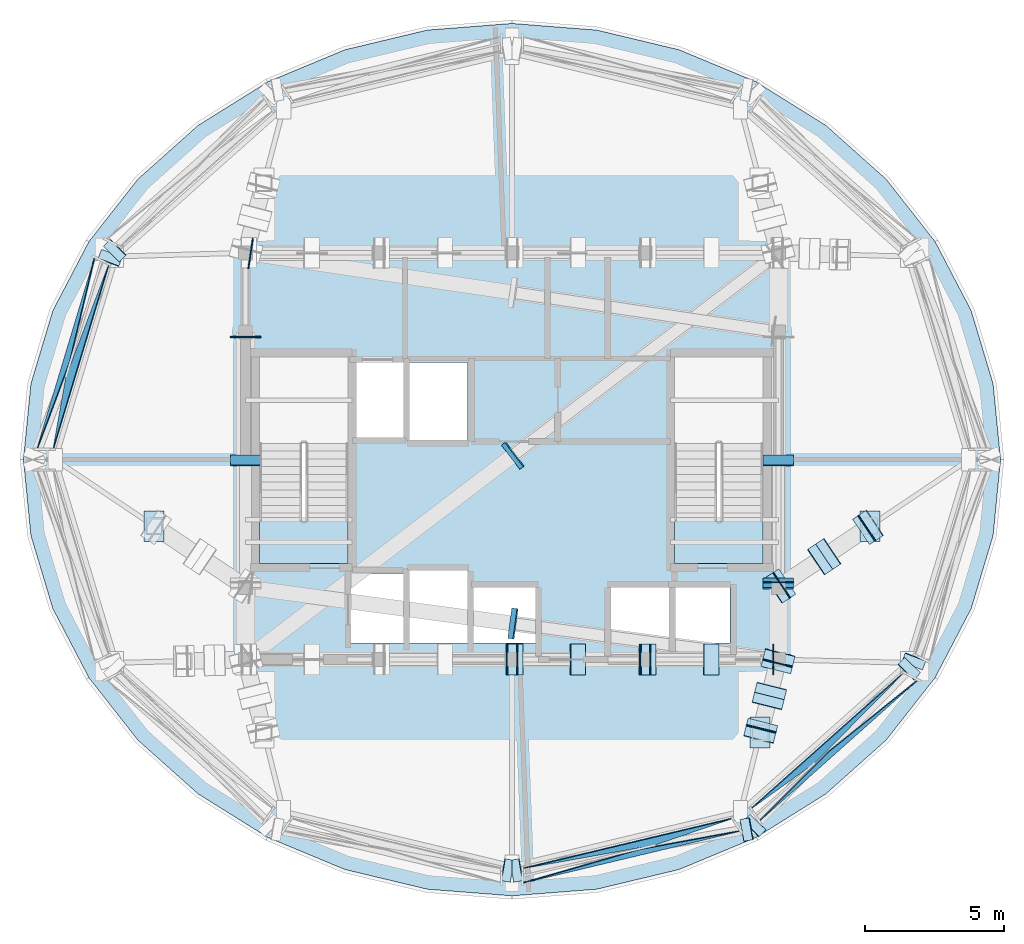
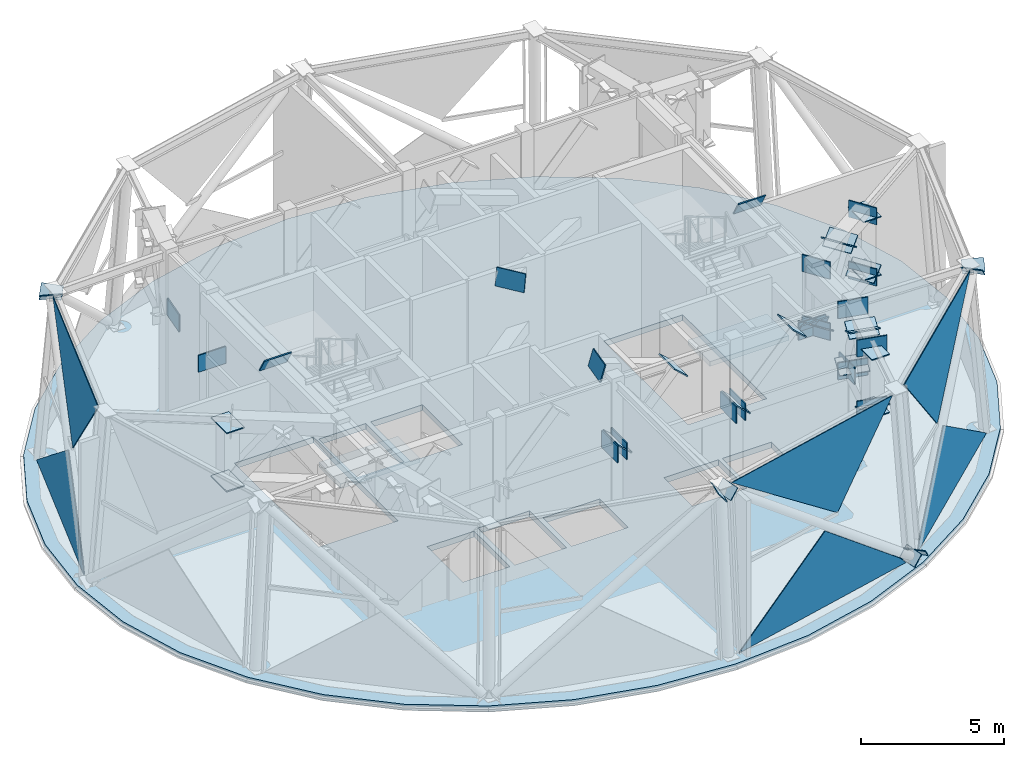
# One storey, part 5 of 12: 53 plates, 3 slabs, 5 elements without a shape of their own.
"""IFC4 building model written with IfcOpenShell, lengths in metres."""

from ifc_helpers import new_model, si_unit, direction, frame, origin, origin_2d, place, context, subcontext, project, spatial, polyline, rectangle, outline, extrude, material, layer, layer_set, type_object, element, aggregate, save


model = new_model("IFC4")

# Units and contexts
model_context = context("Model", 3, precision=1e-05, world=origin(), true_north=direction((0.0, 1.0)))
body_context = subcontext(model_context, "Body", "Model", "MODEL_VIEW")
ifc_project = project(units=[si_unit("LENGTHUNIT", "METRE"), si_unit("AREAUNIT", "SQUARE_METRE"), si_unit("VOLUMEUNIT", "CUBIC_METRE"), si_unit("PLANEANGLEUNIT", "RADIAN"), si_unit("MASSUNIT", "GRAM", prefix="KILO")], contexts=[model_context])

# Site, building, storey
site_placement = place(None, origin())
site = spatial("IfcSite", under=ifc_project, at=site_placement, CompositionType="ELEMENT")
building_placement = place(site_placement, origin())
building = spatial("IfcBuilding", under=site, at=building_placement, Name="Vantalir Tower", CompositionType="ELEMENT")
storey_placement = place(building_placement, frame((0.0, 0.0, 304.5)))
storey = spatial("IfcBuildingStorey", under=building, at=storey_placement, Name="L76", CompositionType="ELEMENT", Elevation=304.5)

# Curtain wall, plates
ifc_material_1 = material(Name="Champagne-silver PVDF aluminium and double-silver Low-E glass", Category="aluminium")
ifc_layer_1 = layer(ifc_material_1, 0.25)
ifc_layer_set_1 = layer_set([ifc_layer_1], Name="Champagne-silver PVDF aluminium and double-silver Low-E glass")
curtain_wall_type = type_object("IfcCurtainWallType", Name="CW-CROWN-PT", PredefinedType="USERDEFINED", material=ifc_layer_set_1)
curtain_wall_1_placement = place(storey_placement, origin())
curtain_wall_1 = element("IfcCurtainWall", 1, at=curtain_wall_1_placement, inside=storey, type_object=curtain_wall_type, Name="L76 Quilted Pyramid-Diamond Curtain Wall S06", ObjectType="UNITISED CURTAIN WALL", PredefinedType="USERDEFINED")
ifc_material_2 = material(Name="Faceted crown Low-E glass IGU", Category="glass")
ifc_layer_2 = layer(ifc_material_2, 0.033935546875)
ifc_layer_set_2 = layer_set([ifc_layer_2], Name="Faceted crown Low-E glass IGU")
plate_type_1 = type_object("IfcPlateType", Name="CWP-IGU-CRN-34", PredefinedType="CURTAIN_PANEL", material=ifc_layer_set_2)
plate_1_placement = place(storey_placement, frame((16.453857421875, 32.289794921875, 0.04931640625), z_axis=(-0.954997413284, 0.287364744972, 0.073494516587), x_axis=(-0.288136892091, -0.957589223669, 0.0001006392)))
plate_1 = element("IfcPlate", 2, at=plate_1_placement, type_object=plate_type_1, Name="CW-L76-S06 Pyramid Diamond Facet 1L", PredefinedType="CURTAIN_PANEL", context=body_context, shape_type="SweptSolid", body=[
    extrude(outline(polyline([(0.0, 0.0), (7.208580734828691, 2.7647155398380363e-17), (6.905439960056875, 0.3809505128534993), (3.8742443701408504, 3.0368687363441875), (0.0, 0.0)])), origin(), (0.0, 0.0, -1.0), 0.033935546875),
])
plate_2_placement = place(storey_placement, frame((14.962890625, 25.386962890625, 7.019775390625), z_axis=(-0.953955181381, 0.287043198554, 0.087038578116), x_axis=(0.288145528503, 0.957586624411, 0.000105612289)))
plate_2 = element("IfcPlate", 3, at=plate_2_placement, type_object=plate_type_1, Name="CW-L76-S06 Pyramid Diamond Facet 2U", PredefinedType="CURTAIN_PANEL", context=body_context, shape_type="SweptSolid", body=[
    extrude(outline(polyline([(0.0, 0.0), (6.935006161675333, 3.686287386450715e-18), (2.600198242440322, 3.4837103599661536), (0.0, 0.0)])), origin(), (0.0, 0.0, -1.0), 0.033935546875),
])
aggregate(curtain_wall_1, [plate_1, plate_2])

curtain_wall_2_placement = place(storey_placement, origin())
curtain_wall_2 = element("IfcCurtainWall", 4, at=curtain_wall_2_placement, inside=storey, type_object=curtain_wall_type, Name="L76 Quilted Pyramid-Diamond Curtain Wall S10", ObjectType="UNITISED CURTAIN WALL", PredefinedType="USERDEFINED")
plate_3_placement = place(storey_placement, frame((31.893310546875, 9.740234375, 0.048828125), z_axis=(0.231602660669, -0.970565018604, 0.066058702936), x_axis=(0.972688241841, 0.232115437018, 8.989938e-05)))
plate_3 = element("IfcPlate", 5, at=plate_3_placement, type_object=plate_type_1, Name="CW-L76-S10 Pyramid Diamond Facet 1L", PredefinedType="CURTAIN_PANEL", context=body_context, shape_type="SweptSolid", body=[
    extrude(outline(polyline([(0.0, 0.0), (8.053168529048223, 8.673617379884035e-19), (7.775782697831556, 0.3124835089575333), (4.336417896180238, 3.0394437894148454), (0.0, 0.0)])), origin(), (0.0, 0.0, -1.0), 0.033935546875),
])
plate_4_placement = place(storey_placement, frame((39.433837890625, 12.062744140625, 7.020263671875), z_axis=(0.231351826003, -0.969610861897, 0.079568266897), x_axis=(-0.972696615583, -0.232080341921, 9.448243e-05)))
plate_4 = element("IfcPlate", 6, at=plate_4_placement, type_object=plate_type_1, Name="CW-L76-S10 Pyramid Diamond Facet 2U", PredefinedType="CURTAIN_PANEL", context=body_context, shape_type="SweptSolid", body=[
    extrude(outline(polyline([(0.0, 0.0), (7.751937327965951, 1.8214596497756474e-17), (2.910542770480971, 3.482263072949367), (0.0, 0.0)])), origin(), (0.0, 0.0, -1.0), 0.033935546875),
])
aggregate(curtain_wall_2, [plate_3, plate_4])

curtain_wall_3_placement = place(storey_placement, origin())
curtain_wall_3 = element("IfcCurtainWall", 7, at=curtain_wall_3_placement, inside=storey, type_object=curtain_wall_type, Name="L76 Quilted Pyramid-Diamond Curtain Wall S11", ObjectType="UNITISED CURTAIN WALL", PredefinedType="USERDEFINED")
plate_5_placement = place(storey_placement, frame((40.421630859375, 11.97216796875, 0.0498046875), z_axis=(0.663493878965, -0.744952634524, 0.069436625004), x_axis=(0.746759466525, 0.6650941963, -9.5934364e-05)))
plate_5 = element("IfcPlate", 8, at=plate_5_placement, type_object=plate_type_1, Name="CW-L76-S11 Pyramid Diamond Facet 1L", PredefinedType="CURTAIN_PANEL", context=body_context, shape_type="SweptSolid", body=[
    extrude(outline(polyline([(0.0, 0.0), (7.641079914454455, -2.0274580625478933e-17), (3.491071217020238, 3.040388159549212), (0.28993999051542213, 0.3487693892709729), (0.0, 0.0)])), origin(), (0.0, 0.0, -1.0), 0.033935546875),
])
plate_6_placement = place(storey_placement, frame((45.6201171875, 17.315673828125, 7.020751953125), z_axis=(0.662766432912, -0.74420598863, 0.083054812582), x_axis=(-0.74678246686, -0.665068374515, -6.6407227e-05)))
plate_6 = element("IfcPlate", 9, at=plate_6_placement, type_object=plate_type_1, Name="CW-L76-S11 Pyramid Diamond Facet 2U", PredefinedType="CURTAIN_PANEL", context=body_context, shape_type="SweptSolid", body=[
    extrude(outline(polyline([(0.0, 0.0), (7.352833041139266, 3.458604930228759e-17), (4.544143298863902, 3.482923217728871), (0.0, 0.0)])), origin(), (0.0, 0.0, -1.0), 0.033935546875),
])
aggregate(curtain_wall_3, [plate_5, plate_6])

# Plates
ifc_material_3 = material(Name="Steel S460", Category="steel")
ifc_layer_3 = layer(ifc_material_3, 0.044921875)
ifc_layer_set_3 = layer_set([ifc_layer_3], Name="Steel S460")
plate_type_2 = type_object("IfcPlateType", Name="PLT-BN-01", PredefinedType="USERDEFINED", material=ifc_layer_set_3)
for number, where, z_axis, x_axis, name in (
    (10, (31.31494140625, 17.800048828125, 3.83984375), (0.0, 0.0, 1.0), (1.0, 0.0, 0.0), "Node Cap Plate MEM-L76-BTCB-02 End"),
    (11, (31.68505859375, 17.800048828125, 3.83984375), (0.0, 0.0, 1.0), (1.0, 0.0, 0.0), "Node Cap Plate MEM-L76-BTCB-03 Start"),
    (12, (36.114990234375, 17.800048828125, 3.83984375), (0.0, 0.0, 1.0), (1.0, 0.0, 0.0), "Node Cap Plate MEM-L76-BTCB-03 End"),
):
    element("IfcPlate", number, at=place(storey_placement, frame(where, z_axis=z_axis, x_axis=x_axis)), inside=storey, type_object=plate_type_2, Name=name, ObjectType="FLANGE_PLATE", PredefinedType="USERDEFINED", context=body_context, shape_type="SweptSolid", body=[
        extrude(rectangle(XDim=0.044921875, YDim=1.10009765625, at=origin_2d()), origin(), (0.0, 0.0, 1.0), 0.719970703125),
    ])
plate_7_placement = place(storey_placement, frame((31.892333984375, 17.25, 4.095458984375), z_axis=(0.675571040077, 0.0, 0.737294900165), x_axis=(0.0, 1.0, 0.0)))
element("IfcPlate", 13, at=plate_7_placement, inside=storey, type_object=plate_type_2, Name="Node Cap Plate MEM-L76-BTDG-03A Start", ObjectType="FLANGE_PLATE", PredefinedType="USERDEFINED", context=body_context, shape_type="SweptSolid", body=[
    extrude(outline(polyline([(0.0, 0.0), (1.10009765625, 0.0), (1.10009765625, 0.719877105662119), (0.0, 0.719877105662119), (0.0, 0.0)])), origin(), (0.0, 0.0, -1.0), 0.044921875),
])
plate_8_placement = place(storey_placement, frame((34.15673828125, 17.25, 6.567138671875), z_axis=(0.675402139581, 0.0, 0.737449625296), x_axis=(0.0, 1.0, 0.0)))
element("IfcPlate", 14, at=plate_8_placement, inside=storey, type_object=plate_type_2, Name="Node Cap Plate MEM-L76-BTDG-03A End", ObjectType="FLANGE_PLATE", PredefinedType="USERDEFINED", context=body_context, shape_type="SweptSolid", body=[
    extrude(outline(polyline([(0.0, 0.0), (1.10009765625, 0.0), (1.10009765625, 0.720057128189561), (0.0, 0.720057128189561), (0.0, 0.0)])), origin(), (0.0, 0.0, -1.0), 0.044921875),
])
for number, where, z_axis, x_axis, name in (
    (15, (36.485107421875, 17.800048828125, 3.83984375), (0.0, 0.0, 1.0), (1.0, 0.0, 0.0), "Node Cap Plate MEM-L76-BTCB-04 Start"),
    (16, (40.9150390625, 17.800048828125, 3.83984375), (0.0, 0.0, 1.0), (1.0, 0.0, 0.0), "Node Cap Plate MEM-L76-BTCB-04 End"),
):
    element("IfcPlate", number, at=place(storey_placement, frame(where, z_axis=z_axis, x_axis=x_axis)), inside=storey, type_object=plate_type_2, Name=name, ObjectType="FLANGE_PLATE", PredefinedType="USERDEFINED", context=body_context, shape_type="SweptSolid", body=[
        extrude(rectangle(XDim=0.044921875, YDim=1.10009765625, at=origin_2d()), origin(), (0.0, 0.0, 1.0), 0.719970703125),
    ])
plate_9_placement = place(storey_placement, frame((36.6923828125, 17.25, 4.095458984375), z_axis=(0.675571040077, 0.0, 0.737294900165), x_axis=(0.0, 1.0, 0.0)))
element("IfcPlate", 17, at=plate_9_placement, inside=storey, type_object=plate_type_2, Name="Node Cap Plate MEM-L76-BTDG-04A Start", ObjectType="FLANGE_PLATE", PredefinedType="USERDEFINED", context=body_context, shape_type="SweptSolid", body=[
    extrude(outline(polyline([(0.0, 0.0), (1.10009765625, 0.0), (1.10009765625, 0.719877105662119), (0.0, 0.719877105662119), (0.0, 0.0)])), origin(), (0.0, 0.0, -1.0), 0.044921875),
])
plate_10_placement = place(storey_placement, frame((38.956787109375, 17.25, 6.567138671875), z_axis=(0.675402139581, 0.0, 0.737449625296), x_axis=(0.0, 1.0, 0.0)))
element("IfcPlate", 18, at=plate_10_placement, inside=storey, type_object=plate_type_2, Name="Node Cap Plate MEM-L76-BTDG-04A End", ObjectType="FLANGE_PLATE", PredefinedType="USERDEFINED", context=body_context, shape_type="SweptSolid", body=[
    extrude(outline(polyline([(0.0, 0.0), (1.10009765625, 0.0), (1.10009765625, 0.720057128189561), (0.0, 0.720057128189561), (0.0, 0.0)])), origin(), (0.0, 0.0, -1.0), 0.044921875),
])
plate_11_placement = place(storey_placement, frame((31.4931640625, 19.656005859375, 6.468994140625), z_axis=(-0.956574986551, 0.129628819994, 0.26107597387), x_axis=(-0.134285089467, -0.990942740391, 3.755488e-06)))
element("IfcPlate", 19, at=plate_11_placement, inside=storey, type_object=plate_type_2, Name="Node Cap Plate MEM-L76-BTDG-05A End", ObjectType="FLANGE_PLATE", PredefinedType="USERDEFINED", context=body_context, shape_type="SweptSolid", body=[
    extrude(outline(polyline([(0.0, 0.0), (1.1000492712332393, 0.0), (1.099956075645277, 0.7200363444917968), (0.00014873379201588746, 0.7200449028458258), (0.0, 0.0)])), origin(), (0.0, 0.0, -1.0), 0.044921875),
])
plate_12_placement = place(storey_placement, frame((21.89990234375, 29.4150390625, 3.83984375), z_axis=(0.0, 0.0, 1.0), x_axis=(0.0, 1.0, 0.0)))
element("IfcPlate", 20, at=plate_12_placement, inside=storey, type_object=plate_type_2, Name="Node Cap Plate MEM-L76-BTCB-06 End", ObjectType="FLANGE_PLATE", PredefinedType="USERDEFINED", context=body_context, shape_type="SweptSolid", body=[
    extrude(rectangle(XDim=0.044921875, YDim=1.10009765625, at=origin_2d()), origin(), (0.0, 0.0, 1.0), 0.719970703125),
])
plate_13_placement = place(storey_placement, frame((22.449951171875, 25.1669921875, 6.500732421875), z_axis=(0.0, 0.868909966, 0.494970171814), x_axis=(-1.0, 0.0, 0.0)))
element("IfcPlate", 21, at=plate_13_placement, inside=storey, type_object=plate_type_2, Name="Node Cap Plate MEM-L76-BTDG-06A End", ObjectType="FLANGE_PLATE", PredefinedType="USERDEFINED", context=body_context, shape_type="SweptSolid", body=[
    extrude(outline(polyline([(0.0, 0.0), (1.099853515625, 0.0), (1.099853515625, 0.7201349349870312), (0.0, 0.7201349349870312), (0.0, 0.0)])), origin(), (0.0, 0.0, -1.0), 0.044921875),
])
plate_14_placement = place(storey_placement, frame((41.10009765625, 20.5849609375, 3.83984375), z_axis=(0.0, 0.0, 1.0), x_axis=(0.0, 1.0, 0.0)))
element("IfcPlate", 22, at=plate_14_placement, inside=storey, type_object=plate_type_2, Name="Node Cap Plate MEM-L76-BTCB-08 Start", ObjectType="FLANGE_PLATE", PredefinedType="USERDEFINED", context=body_context, shape_type="SweptSolid", body=[
    extrude(rectangle(XDim=0.044921875, YDim=1.10009765625, at=origin_2d()), origin(), (0.0, 0.0, 1.0), 0.719970703125),
])
plate_15_placement = place(storey_placement, frame((41.64990234375, 20.741455078125, 3.980224609375), z_axis=(0.0, 0.869055760291, 0.494714145245), x_axis=(-1.0, 0.0, 0.0)))
element("IfcPlate", 23, at=plate_15_placement, inside=storey, type_object=plate_type_2, Name="Node Cap Plate MEM-L76-BTDG-08A Start", ObjectType="FLANGE_PLATE", PredefinedType="USERDEFINED", context=body_context, shape_type="SweptSolid", body=[
    extrude(outline(polyline([(0.0, 0.0), (1.099853515625, 0.0), (1.099853515625, 0.7200141239105495), (0.0, 0.7200141239105495), (0.0, 0.0)])), origin(), (0.0, 0.0, -1.0), 0.044921875),
])
plate_16_placement = place(storey_placement, frame((41.64990234375, 25.1669921875, 6.500732421875), z_axis=(0.0, 0.868909966, 0.494970171814), x_axis=(-1.0, 0.0, 0.0)))
element("IfcPlate", 24, at=plate_16_placement, inside=storey, type_object=plate_type_2, Name="Node Cap Plate MEM-L76-BTDG-08A End", ObjectType="FLANGE_PLATE", PredefinedType="USERDEFINED", context=body_context, shape_type="SweptSolid", body=[
    extrude(outline(polyline([(0.0, 0.0), (1.099853515625, 0.0), (1.099853515625, 0.7201349349870312), (0.0, 0.7201349349870312), (0.0, 0.0)])), origin(), (0.0, 0.0, -1.0), 0.044921875),
])
plate_17_placement = place(storey_placement, frame((22.0830078125, 32.423095703125, 3.83984375), z_axis=(0.0, 0.0, 1.0), x_axis=(-0.989162420293, 0.146825427908, 0.0)))
element("IfcPlate", 25, at=plate_17_placement, inside=storey, type_object=plate_type_2, Name="Node Cap Plate MEM-L76-BTCB-09 End", ObjectType="FLANGE_PLATE", PredefinedType="USERDEFINED", context=body_context, shape_type="SweptSolid", body=[
    extrude(rectangle(XDim=0.044921875, YDim=1.10009765625, at=origin_2d()), origin(), (0.0, 0.0, 1.0), 0.719970703125),
])
plate_18_placement = place(storey_placement, frame((31.11572265625, 25.523681640625, 6.46533203125), z_axis=(-0.776957569647, -0.592804309839, 0.211943353763), x_axis=(0.606584730525, -0.795018845496, 0.0)))
element("IfcPlate", 26, at=plate_18_placement, inside=storey, type_object=plate_type_2, Name="Node Cap Plate MEM-L76-BTDG-14A End", ObjectType="FLANGE_PLATE", PredefinedType="USERDEFINED", context=body_context, shape_type="SweptSolid", body=[
    extrude(outline(polyline([(0.0, 0.0), (1.0999886653056075, 0.0), (1.1000278422167267, 0.719969584425667), (3.9176911119007165e-05, 0.719969584425667), (0.0, 0.0)])), origin(), (0.0, 0.0, -1.0), 0.044921875),
])
for number, where, z_axis, x_axis, name in (
    (27, (41.2119140625, 20.47509765625, 3.83984375), (0.0, 0.0, 1.0), (0.83065421052, 0.556788633636, 0.0), "Node Cap Plate MEM-L76-ORCB-01 Start"),
    (28, (44.281982421875, 22.532958984375, 3.83984375), (0.0, 0.0, 1.0), (0.83065421052, 0.556788633636, 0.0), "Node Cap Plate MEM-L76-ORCB-01 End"),
    (29, (41.2119140625, 20.47509765625, 6.4599609375), (0.0, 0.0, 1.0), (0.83065421052, 0.556788633636, 0.0), "Node Cap Plate MEM-L76-ORCT-01 Start"),
    (30, (44.281982421875, 22.532958984375, 6.4599609375), (0.0, 0.0, 1.0), (0.83065421052, 0.556788633636, 0.0), "Node Cap Plate MEM-L76-ORCT-01 End"),
):
    element("IfcPlate", number, at=place(storey_placement, frame(where, z_axis=z_axis, x_axis=x_axis)), inside=storey, type_object=plate_type_2, Name=name, ObjectType="FLANGE_PLATE", PredefinedType="USERDEFINED", context=body_context, shape_type="SweptSolid", body=[
        extrude(rectangle(XDim=0.044921875, YDim=1.10009765625, at=origin_2d()), origin(), (0.0, 0.0, 1.0), 0.719970703125),
    ])
plate_19_placement = place(storey_placement, frame((41.723876953125, 20.156005859375, 4.108642578125), z_axis=(0.501330642976, 0.336095813822, 0.797312479737), x_axis=(-0.55681683448, 0.83063530623, -2.9734373e-05)))
element("IfcPlate", 31, at=plate_19_placement, inside=storey, type_object=plate_type_2, Name="Node Cap Plate MEM-L76-ORDG-01A Start", ObjectType="FLANGE_PLATE", PredefinedType="USERDEFINED", context=body_context, shape_type="SweptSolid", body=[
    extrude(outline(polyline([(0.0, 0.0), (1.100127292218899, -5.551115123125783e-17), (1.0999510469538423, 0.7200579332275001), (2.6546557753317625e-05, 0.7199495489246909), (0.0, 0.0)])), origin(), (0.0, 0.0, -1.0), 0.044921875),
])
plate_20_placement = place(storey_placement, frame((43.25, 21.17919921875, 6.53662109375), z_axis=(0.501126219732, 0.335891816218, 0.797526927254), x_axis=(-0.556756831247, 0.830675526692, -1.4626711e-05)))
element("IfcPlate", 32, at=plate_20_placement, inside=storey, type_object=plate_type_2, Name="Node Cap Plate MEM-L76-ORDG-01A End", ObjectType="FLANGE_PLATE", PredefinedType="USERDEFINED", context=body_context, shape_type="SweptSolid", body=[
    extrude(outline(polyline([(0.0, 0.0), (1.0997885629030284, 5.551115123125783e-17), (1.0999161417353343, 0.7199639443180557), (-0.0002111497707064146, 0.7199106069698338), (0.0, 0.0)])), origin(), (0.0, 0.0, -1.0), 0.044921875),
])
plate_21_placement = place(storey_placement, frame((42.243896484375, 21.828857421875, 6.53662109375), z_axis=(-0.501151543343, -0.335975744088, 0.797475661064), x_axis=(0.556882105427, -0.830591548098, 2.9735315e-05)))
element("IfcPlate", 33, at=plate_21_placement, inside=storey, type_object=plate_type_2, Name="Node Cap Plate MEM-L76-ORDG-01B Start", ObjectType="FLANGE_PLATE", PredefinedType="USERDEFINED", context=body_context, shape_type="SweptSolid", body=[
    extrude(outline(polyline([(0.0, 0.0), (1.0999245057366187, 0.0), (1.1000219946437486, 0.7198022028779472), (-0.00010529223254249223, 0.7199106293493971), (0.0, 0.0)])), origin(), (0.0, 0.0, -1.0), 0.044921875),
])
plate_22_placement = place(storey_placement, frame((43.77001953125, 22.85205078125, 4.108642578125), z_axis=(-0.501363821888, -0.336006184132, 0.797329393869), x_axis=(0.556770247127, -0.830666533542, 4.4356563e-05)))
element("IfcPlate", 34, at=plate_22_placement, inside=storey, type_object=plate_type_2, Name="Node Cap Plate MEM-L76-ORDG-01B End", ObjectType="FLANGE_PLATE", PredefinedType="USERDEFINED", context=body_context, shape_type="SweptSolid", body=[
    extrude(outline(polyline([(0.0, 0.0), (1.1001272912815532, 0.0), (1.100153842774105, 0.7199495474921869), (0.00016248172866667503, 0.7201112418133824), (0.0, 0.0)])), origin(), (0.0, 0.0, -1.0), 0.044921875),
])
for number, where, z_axis, x_axis, name in (
    (35, (44.033935546875, 23.157958984375, 4.2880859375), (0.0, 0.0, 1.0), (0.0, -1.0, 0.0), "Node Cap Plate MEM-L76-ORVP-01 Start"),
    (36, (44.033935546875, 23.157958984375, 6.777099609375), (0.0, 0.0, 1.0), (0.0, -1.0, 0.0), "Node Cap Plate MEM-L76-ORVP-01 End"),
    (37, (18.24609375, 23.157958984375, 4.2880859375), (0.0, 0.0, 1.0), (0.0, -1.0, 0.0), "Node Cap Plate MEM-L76-ORVP-05 Start"),
    (38, (18.24609375, 23.157958984375, 6.777099609375), (0.0, 0.0, 1.0), (0.0, -1.0, 0.0), "Node Cap Plate MEM-L76-ORVP-05 End"),
):
    element("IfcPlate", number, at=place(storey_placement, frame(where, z_axis=z_axis, x_axis=x_axis)), inside=storey, type_object=plate_type_2, Name=name, ObjectType="FLANGE_PLATE", PredefinedType="USERDEFINED", context=body_context, shape_type="SweptSolid", body=[
        extrude(outline(polyline([(0.0, 0.0), (1.099853515625, 0.0), (1.099853515625, 0.719970703125), (0.0, 0.719970703125), (0.0, 0.0)])), origin(), (0.0, 0.0, -1.0), 0.044921875),
    ])
for number, where, z_axis, x_axis, name in (
    (39, (41.06689453125, 17.6689453125, 3.83984375), (0.0, 0.0, 1.0), (-0.24236217691, -0.970185845704, 0.0), "Node Cap Plate MEM-L76-ORCB-08 Start"),
    (40, (40.47607421875, 15.301025390625, 3.83984375), (0.0, 0.0, 1.0), (-0.24236217691, -0.970185845704, 0.0), "Node Cap Plate MEM-L76-ORCB-08 End"),
    (41, (41.06689453125, 17.6689453125, 6.4599609375), (0.0, 0.0, 1.0), (-0.24236217691, -0.970185845704, 0.0), "Node Cap Plate MEM-L76-ORCT-08 Start"),
    (42, (40.47607421875, 15.301025390625, 6.4599609375), (0.0, 0.0, 1.0), (-0.24236217691, -0.970185845704, 0.0), "Node Cap Plate MEM-L76-ORCT-08 End"),
):
    element("IfcPlate", number, at=place(storey_placement, frame(where, z_axis=z_axis, x_axis=x_axis)), inside=storey, type_object=plate_type_2, Name=name, ObjectType="FLANGE_PLATE", PredefinedType="USERDEFINED", context=body_context, shape_type="SweptSolid", body=[
        extrude(rectangle(XDim=0.044921875, YDim=1.10009765625, at=origin_2d()), origin(), (0.0, 0.0, 1.0), 0.719970703125),
    ])
plate_23_placement = place(storey_placement, frame((40.47119140625, 17.552734375, 4.1748046875), z_axis=(-0.1114128651, -0.446059566134, 0.888041686494), x_axis=(0.970194692006, -0.242326762047, 0.0)))
element("IfcPlate", 43, at=plate_23_placement, inside=storey, type_object=plate_type_2, Name="Node Cap Plate MEM-L76-ORDG-08A Start", ObjectType="FLANGE_PLATE", PredefinedType="USERDEFINED", context=body_context, shape_type="SweptSolid", body=[
    extrude(outline(polyline([(0.0, 0.0), (1.1001738324227912, 0.0), (1.1002522814124793, 0.7200551786384496), (7.844898968800695e-05, 0.7200551786384495), (0.0, 0.0)])), origin(), (0.0, 0.0, -1.0), 0.044921875),
])
for number, where, z_axis, x_axis, name in (
    (44, (40.169677734375, 16.344970703125, 6.580810546875), (-0.111339496392, -0.445663863306, 0.888249535596), (0.970181656683, -0.242378945115, 0.0), "Node Cap Plate MEM-L76-ORDG-08A End"),
    (45, (41.373291015625, 16.625, 6.580810546875), (0.111339496392, 0.445663863306, 0.888249535596), (-0.970181656683, 0.242378945115, 0.0), "Node Cap Plate MEM-L76-ORDG-08B Start"),
):
    element("IfcPlate", number, at=place(storey_placement, frame(where, z_axis=z_axis, x_axis=x_axis)), inside=storey, type_object=plate_type_2, Name=name, ObjectType="FLANGE_PLATE", PredefinedType="USERDEFINED", context=body_context, shape_type="SweptSolid", body=[
        extrude(outline(polyline([(0.0, 0.0), (1.0999369700753678, 0.0), (1.0999218513037066, 0.7201533506324355), (-1.5118771661243313e-05, 0.7201533506324355), (0.0, 0.0)])), origin(), (0.0, 0.0, -1.0), 0.044921875),
    ])
plate_24_placement = place(storey_placement, frame((41.07177734375, 15.417236328125, 4.1748046875), z_axis=(0.111428925083, 0.446072844321, 0.888033001759), x_axis=(-0.970193314412, 0.242332277154, 1.0979329e-05)))
element("IfcPlate", 46, at=plate_24_placement, inside=storey, type_object=plate_type_2, Name="Node Cap Plate MEM-L76-ORDG-08B End", ObjectType="FLANGE_PLATE", PredefinedType="USERDEFINED", context=body_context, shape_type="SweptSolid", body=[
    extrude(outline(polyline([(0.0, 0.0), (1.100173832338705, 2.7755575615628914e-17), (1.1000154175580754, 0.7200026408728041), (7.844882152162113e-05, 0.7200551785099925), (0.0, 0.0)])), origin(), (0.0, 0.0, -1.0), 0.044921875),
])
for number, where, z_axis, x_axis, name in (
    (47, (40.0830078125, 15.719970703125, 4.2880859375), (0.0, 0.0, 1.0), (0.0, -1.0, 0.0), "Node Cap Plate MEM-L76-ORVP-08 Start"),
    (48, (40.0830078125, 15.719970703125, 6.777099609375), (0.0, 0.0, 1.0), (0.0, -1.0, 0.0), "Node Cap Plate MEM-L76-ORVP-08 End"),
):
    element("IfcPlate", number, at=place(storey_placement, frame(where, z_axis=z_axis, x_axis=x_axis)), inside=storey, type_object=plate_type_2, Name=name, ObjectType="FLANGE_PLATE", PredefinedType="USERDEFINED", context=body_context, shape_type="SweptSolid", body=[
        extrude(outline(polyline([(0.0, 0.0), (1.099853515625, 0.0), (1.099853515625, 0.719970703125), (0.0, 0.719970703125), (0.0, 0.0)])), origin(), (0.0, 0.0, -1.0), 0.044921875),
    ])
ifc_layer_4 = layer(ifc_material_3, 0.031982421875)
ifc_layer_set_4 = layer_set([ifc_layer_4], Name="Steel S460")
plate_type_3 = type_object("IfcPlateType", Name="PLT-KN-Z3", PredefinedType="USERDEFINED", material=ifc_layer_set_4)
plate_25_placement = place(storey_placement, frame((45.5400390625, 17.70556640625, 6.665283203125), z_axis=(-0.267836751355, -0.704797224571, 0.656905127747), x_axis=(0.934777500246, -0.355233761112, 0.0)))
element("IfcPlate", 49, at=plate_25_placement, inside=storey, type_object=plate_type_3, Name="Node Cap Plate MEM-DG-L76-R01R End", ObjectType="FLANGE_PLATE", PredefinedType="USERDEFINED", context=body_context, shape_type="SweptSolid", body=[
    extrude(outline(polyline([(0.0, 0.0), (0.7999793899384687, -2.7755575615628914e-17), (0.7999644138856472, 0.5200315086876426), (-1.4976052821538688e-05, 0.5200315086876426), (0.0, 0.0)])), origin(), (0.0, 0.0, -1.0), 0.031982421875),
])
plate_26_placement = place(storey_placement, frame((16.78173828125, 32.68408203125, 6.664794921875), z_axis=(-0.538720189342, -0.546212169376, 0.641430295216), x_axis=(0.711972718543, -0.702207126175, 0.0)))
element("IfcPlate", 50, at=plate_26_placement, inside=storey, type_object=plate_type_3, Name="Node Cap Plate MEM-DG-L76-R13L End", ObjectType="FLANGE_PLATE", PredefinedType="USERDEFINED", context=body_context, shape_type="SweptSolid", body=[
    extrude(outline(polyline([(0.0, 0.0), (0.8000026732638517, 0.0), (0.7998889777838651, 0.5199889143765447), (-0.0001136954799865617, 0.5199889143765447), (0.0, 0.0)])), origin(), (0.0, 0.0, -1.0), 0.031982421875),
])
plate_27_placement = place(storey_placement, frame((17.4599609375, 32.29443359375, 6.665283203125), z_axis=(0.267836751355, 0.704797224571, 0.656905127747), x_axis=(-0.934777500246, 0.355233761112, 0.0)))
element("IfcPlate", 51, at=plate_27_placement, inside=storey, type_object=plate_type_3, Name="Node Cap Plate MEM-DG-L76-R19R End", ObjectType="FLANGE_PLATE", PredefinedType="USERDEFINED", context=body_context, shape_type="SweptSolid", body=[
    extrude(outline(polyline([(0.0, 0.0), (0.7999793899384687, -2.7755575615628914e-17), (0.7999644138856472, 0.5200315086876426), (-1.4976052821538688e-05, 0.5200315086876426), (0.0, 0.0)])), origin(), (0.0, 0.0, -1.0), 0.031982421875),
])
plate_28_placement = place(storey_placement, frame((31.43701171875, 9.77490234375, 6.66455078125), z_axis=(0.772885456172, -0.137518986932, 0.619464768869), x_axis=(0.175177964811, 0.98453678481, 0.0)))
element("IfcPlate", 52, at=plate_28_placement, inside=storey, type_object=plate_type_3, Name="Node Cap Plate MEM-DG-L76-R25L End", ObjectType="FLANGE_PLATE", PredefinedType="USERDEFINED", context=body_context, shape_type="SweptSolid", body=[
    extrude(outline(polyline([(0.0, 0.0), (0.7999677293944487, 0.0), (0.7999364356936082, 0.5199877795957982), (-3.129370084042202e-05, 0.5199877795957982), (0.0, 0.0)])), origin(), (0.0, 0.0, -1.0), 0.031982421875),
])
plate_29_placement = place(storey_placement, frame((40.644775390625, 11.665283203125, 0.02685546875), z_axis=(0.538721773716, 0.546213775784, 0.641427596591), x_axis=(-0.711972718543, 0.702207126175, 0.0)))
element("IfcPlate", 53, at=plate_29_placement, inside=storey, type_object=plate_type_3, Name="Node Cap Plate MEM-DG-L76-R31L Start", ObjectType="FLANGE_PLATE", PredefinedType="USERDEFINED", context=body_context, shape_type="SweptSolid", body=[
    extrude(outline(polyline([(0.0, 0.0), (0.8000026732638517, 0.0), (0.800234236535017, 0.5199873850958763), (0.0002315632711652471, 0.5199873850958762), (0.0, 0.0)])), origin(), (0.0, 0.0, -1.0), 0.031982421875),
])
plate_30_placement = place(storey_placement, frame((46.21826171875, 17.31591796875, 6.664794921875), z_axis=(0.538720189342, 0.546212169376, 0.641430295216), x_axis=(-0.711972718543, 0.702207126175, 0.0)))
element("IfcPlate", 54, at=plate_30_placement, inside=storey, type_object=plate_type_3, Name="Node Cap Plate MEM-DG-L76-R31L End", ObjectType="FLANGE_PLATE", PredefinedType="USERDEFINED", context=body_context, shape_type="SweptSolid", body=[
    extrude(outline(polyline([(0.0, 0.0), (0.8000026732638517, 0.0), (0.7998889777838651, 0.5199889143765447), (-0.0001136954799865617, 0.5199889143765447), (0.0, 0.0)])), origin(), (0.0, 0.0, -1.0), 0.031982421875),
])
for number, where, z_axis, x_axis, name in (
    (55, (39.715087890625, 12.037353515625, 0.01708984375), (-0.772885456172, -0.137518986932, 0.619464768869), (0.175177964811, -0.98453678481, 0.0), "Node Cap Plate MEM-DG-L76-R31R Start"),
    (56, (31.4228515625, 10.5625, 6.66455078125), (-0.772885456172, -0.137518986932, 0.619464768869), (0.175177964811, -0.98453678481, 0.0), "Node Cap Plate MEM-DG-L76-R31R End"),
):
    element("IfcPlate", number, at=place(storey_placement, frame(where, z_axis=z_axis, x_axis=x_axis)), inside=storey, type_object=plate_type_3, Name=name, ObjectType="FLANGE_PLATE", PredefinedType="USERDEFINED", context=body_context, shape_type="SweptSolid", body=[
        extrude(outline(polyline([(0.0, 0.0), (0.7999677293944487, 0.0), (0.799999023095289, 0.5199877795957982), (3.129370084042202e-05, 0.5199877795957982), (0.0, 0.0)])), origin(), (0.0, 0.0, -1.0), 0.031982421875),
    ])

# Stair, slab
ifc_material_4 = material(Name="Concrete C40/50", Category="concrete")
stair_type = type_object("IfcStairType", Name="STR-CORE-1450", PredefinedType="HALF_TURN_STAIR", material=ifc_material_4)
stair_1_placement = place(storey_placement, origin())
stair_1 = element("IfcStair", 57, at=stair_1_placement, inside=storey, type_object=stair_type, Name="L76 Core Exit Stair 1", PredefinedType="HALF_TURN_STAIR")
ifc_layer_5 = layer(ifc_material_4, 0.199951171875)
ifc_layer_set_5 = layer_set([ifc_layer_5], Name="Concrete C40/50")
slab_type_1 = type_object("IfcSlabType", Name="SL-LAND-200", PredefinedType="LANDING", material=ifc_layer_set_5)
slab_1_placement = place(storey_placement, frame((0.0, 0.0, 3.425048828125)))
slab_1 = element("IfcSlab", 58, at=slab_1_placement, type_object=slab_type_1, Name="ST1 landing 2", PredefinedType="LANDING", context=body_context, shape_type="SweptSolid", body=[
    extrude(outline(polyline([(25.60009765625, 21.25), (25.60009765625, 22.7900390625), (22.39990234375, 22.7900390625), (22.39990234375, 21.25), (25.60009765625, 21.25)])), origin(), (0.0, 0.0, 1.0), 0.199951171875),
])
aggregate(stair_1, [slab_1])

stair_2_placement = place(storey_placement, origin())
stair_2 = element("IfcStair", 59, at=stair_2_placement, inside=storey, type_object=stair_type, Name="L76 Core Exit Stair 2", PredefinedType="HALF_TURN_STAIR")
slab_2_placement = place(storey_placement, frame((0.0, 0.0, 3.425048828125)))
slab_2 = element("IfcSlab", 60, at=slab_2_placement, type_object=slab_type_1, Name="ST2 landing 2", PredefinedType="LANDING", context=body_context, shape_type="SweptSolid", body=[
    extrude(outline(polyline([(40.550048828125, 21.25), (40.550048828125, 22.7900390625), (37.35009765625, 22.7900390625), (37.35009765625, 21.25), (40.550048828125, 21.25)])), origin(), (0.0, 0.0, 1.0), 0.199951171875),
])
aggregate(stair_2, [slab_2])

# Slab
ifc_material_5 = material(Name="Concrete C50/60", Category="concrete")
ifc_layer_6 = layer(ifc_material_5, 0.25)
ifc_layer_set_6 = layer_set([ifc_layer_6], Name="Concrete C50/60")
slab_type_2 = type_object("IfcSlabType", Name="SL-PLNT-250", PredefinedType="FLOOR", material=ifc_layer_set_6)
slab_3_placement = place(storey_placement, frame((0.0, 0.0, -0.25)))
element("IfcSlab", 61, at=slab_3_placement, inside=storey, type_object=slab_type_2, Name="L76 Primary Structural Slab", PredefinedType="FLOOR", context=body_context, shape_type="SweptSolid", body=[
    extrude(outline(polyline([(34.555908203125, 9.52490234375), (37.52001953125, 10.23388671875), (40.300048828125, 11.39111328125), (42.81298828125, 12.9619140625), (44.98193359375, 14.89892578125), (46.741943359375, 17.14306640625), (48.0390625, 19.625), (48.8330078125, 22.27099609375), (49.10009765625, 25.0), (48.8330078125, 27.72900390625), (48.0390625, 30.375), (46.741943359375, 32.85693359375), (44.98193359375, 35.10107421875), (42.81298828125, 37.0380859375), (40.300048828125, 38.60888671875), (37.52001953125, 39.76611328125), (34.555908203125, 40.47509765625), (31.5, 40.714111328125), (28.444091796875, 40.47509765625), (25.47998046875, 39.76611328125), (22.699951171875, 38.60888671875), (20.18701171875, 37.0380859375), (18.01806640625, 35.10107421875), (16.258056640625, 32.85693359375), (14.9609375, 30.375), (14.1669921875, 27.72900390625), (13.89990234375, 25.0), (14.1669921875, 22.27099609375), (14.9609375, 19.625), (16.258056640625, 17.14306640625), (18.01806640625, 14.89892578125), (20.18701171875, 12.9619140625), (22.699951171875, 11.39111328125), (25.47998046875, 10.23388671875), (28.444091796875, 9.52490234375), (31.5, 9.285888671875), (34.555908203125, 9.52490234375)]), holes=[polyline([(25.60009765625, 22.7900390625), (22.39990234375, 22.7900390625), (22.39990234375, 28.699951171875), (25.60009765625, 28.699951171875), (25.60009765625, 22.7900390625)]), polyline([(37.35009765625, 22.7900390625), (37.35009765625, 28.699951171875), (40.550048828125, 28.699951171875), (40.550048828125, 22.7900390625), (37.35009765625, 22.7900390625)]), polyline([(25.699951171875, 20.89990234375), (27.60009765625, 20.89990234375), (27.60009765625, 18.39990234375), (25.699951171875, 18.39990234375), (25.699951171875, 20.89990234375)]), polyline([(27.60009765625, 28.5), (27.60009765625, 25.800048828125), (25.699951171875, 25.800048828125), (25.699951171875, 28.5), (27.60009765625, 28.5)]), polyline([(29.89990234375, 18.39990234375), (27.800048828125, 18.39990234375), (27.800048828125, 21.0), (29.89990234375, 21.0), (29.89990234375, 18.39990234375)]), polyline([(27.800048828125, 25.699951171875), (27.800048828125, 28.5), (29.89990234375, 28.5), (29.89990234375, 25.699951171875), (27.800048828125, 25.699951171875)]), polyline([(30.10009765625, 20.39990234375), (32.39990234375, 20.39990234375), (32.39990234375, 18.39990234375), (30.10009765625, 18.39990234375), (30.10009765625, 20.39990234375)]), polyline([(39.35009765625, 20.39990234375), (39.35009765625, 18.39990234375), (37.35009765625, 18.39990234375), (37.35009765625, 20.39990234375), (39.35009765625, 20.39990234375)]), polyline([(37.199951171875, 18.39990234375), (35.0, 18.39990234375), (35.0, 20.39990234375), (37.199951171875, 20.39990234375), (37.199951171875, 18.39990234375)])]), origin(), (0.0, 0.0, 1.0), 0.25),
])

save(model, "model.ifc")
